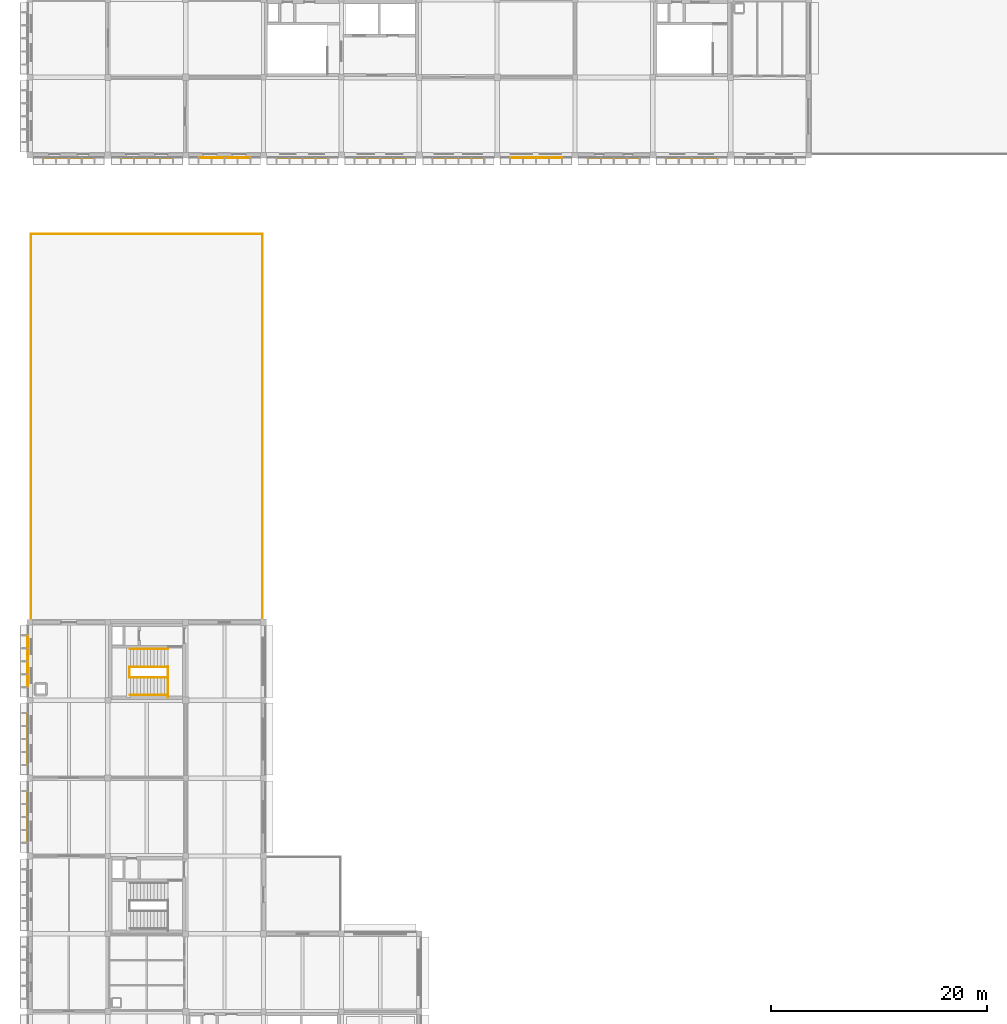
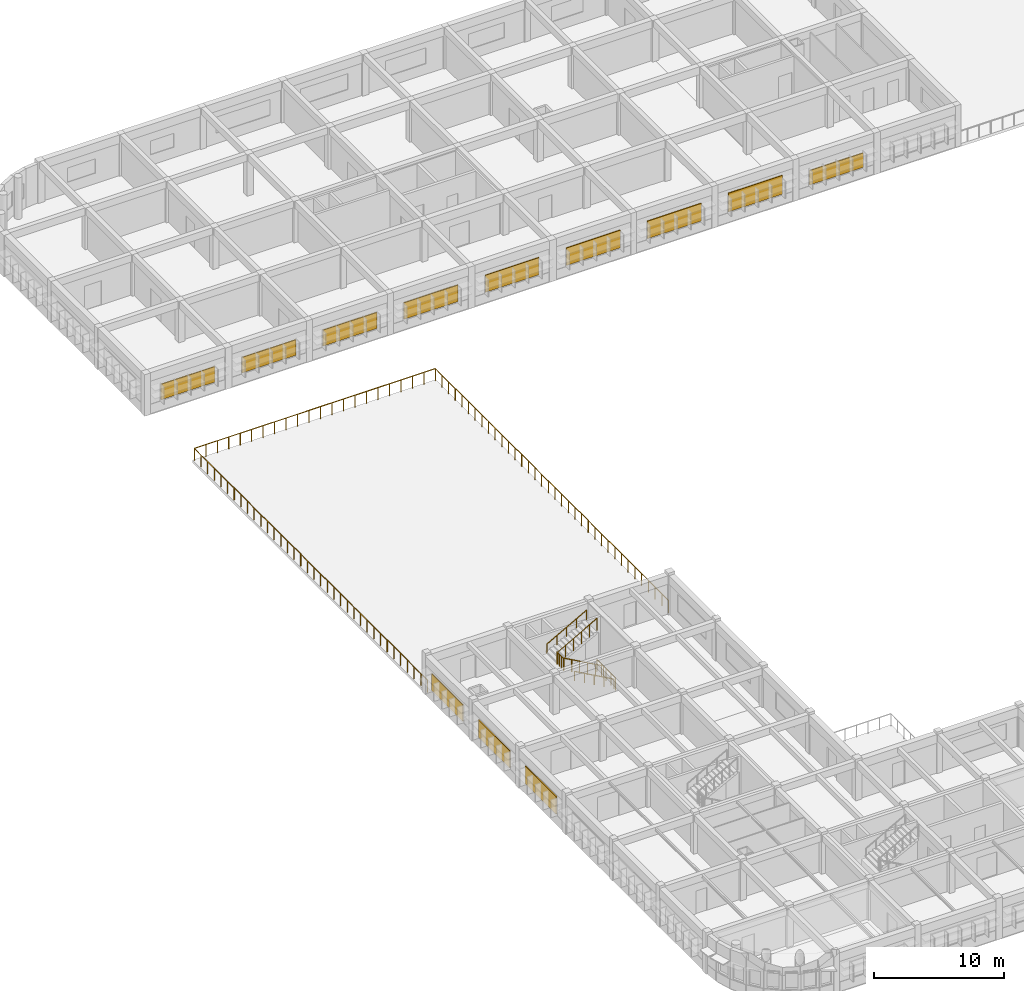
# One storey, part 21 of 22: 19 railings, 12 shading devices.
"""IFC4 building model written with IfcOpenShell, lengths in metres."""

from ifc_helpers import new_model, si_unit, direction, frame, origin, origin_2d, place, context, subcontext, project, spatial, rectangle, circle, extrude, material, layer, layer_set, type_object, element, save


model = new_model("IFC4")

# Units and contexts
model_context = context("Model", 3, precision=1e-05, world=origin(), true_north=direction((0.0, 1.0)))
body_context = subcontext(model_context, "Body", "Model", "MODEL_VIEW")
ifc_project = project(units=[si_unit("LENGTHUNIT", "METRE"), si_unit("AREAUNIT", "SQUARE_METRE"), si_unit("VOLUMEUNIT", "CUBIC_METRE"), si_unit("PLANEANGLEUNIT", "RADIAN"), si_unit("MASSUNIT", "GRAM", prefix="KILO")], contexts=[model_context])

# Site, building, storey
site_placement = place(None, origin())
site = spatial("IfcSite", under=ifc_project, at=site_placement, CompositionType="ELEMENT")
building_placement = place(site_placement, origin())
building = spatial("IfcBuilding", under=site, at=building_placement, Name="Thalmaran Polytechnic", CompositionType="ELEMENT")
storey_placement = place(building_placement, frame((0.0, 0.0, 22.800048828125)))
storey = spatial("IfcBuildingStorey", under=building, at=storey_placement, Name="L05", CompositionType="ELEMENT", Elevation=22.800048828125)

# Railings
ifc_material_1 = material(Name="Stainless steel 316 and laminated glass", Category="steel")
railing_type_1 = type_object("IfcRailingType", Name="RL-BL01", PredefinedType="BALUSTRADE", material=ifc_material_1)
for number, where, name in (
    (1, (0.10009765625, 86.300048828125, 0.0), "Terrace Balustrade Guard L05-2-1"),
    (2, (7.2333984375, 86.300048828125, 0.0), "Terrace Balustrade Guard L05-2-2"),
    (3, (14.36669921875, 86.300048828125, 0.0), "Terrace Balustrade Guard L05-2-3"),
):
    element("IfcRailing", number, at=place(storey_placement, frame(where)), inside=storey, type_object=railing_type_1, Name=name, PredefinedType="BALUSTRADE", context=body_context, shape_type="SweptSolid", body=[
        extrude(circle(Radius=0.02392578125, at=origin_2d()), frame((0.0, 0.0, 1.1259765625), z_axis=(1.0, 0.0, 0.0), x_axis=(0.0, 1.0, 0.0)), (0.0, 0.0, 1.0), 7.13330078125),
        extrude(circle(Radius=0.02099609375, at=origin_2d()), origin(), (0.0, 0.0, 1.0), 1.101806640625),
        extrude(circle(Radius=0.02099609375, at=origin_2d()), frame((1.01904296875, 0.0, 0.0)), (0.0, 0.0, 1.0), 1.101806640625),
        extrude(circle(Radius=0.02099609375, at=origin_2d()), frame((2.0380859375, 0.0, 0.0)), (0.0, 0.0, 1.0), 1.101806640625),
        extrude(circle(Radius=0.02099609375, at=origin_2d()), frame((3.05712890625, 0.0, 0.0)), (0.0, 0.0, 1.0), 1.101806640625),
        extrude(circle(Radius=0.02099609375, at=origin_2d()), frame((4.076171875, 0.0, 0.0)), (0.0, 0.0, 1.0), 1.101806640625),
        extrude(circle(Radius=0.02099609375, at=origin_2d()), frame((5.09521484375, 0.0, 0.0)), (0.0, 0.0, 1.0), 1.101806640625),
        extrude(circle(Radius=0.02099609375, at=origin_2d()), frame((6.1142578125, 0.0, 0.0)), (0.0, 0.0, 1.0), 1.101806640625),
        extrude(circle(Radius=0.02099609375, at=origin_2d()), frame((7.13330078125, 0.0, 0.0)), (0.0, 0.0, 1.0), 1.101806640625),
    ])
railing_1_placement = place(storey_placement, frame((21.5, 86.300048828125, 0.0)))
element("IfcRailing", 4, at=railing_1_placement, inside=storey, type_object=railing_type_1, Name="Terrace Balustrade Guard L05-2-4", PredefinedType="BALUSTRADE", context=body_context, shape_type="SweptSolid", body=[
    extrude(circle(Radius=0.02392578125, at=origin_2d()), frame((0.0, 0.0, 1.1259765625), z_axis=(0.0, -1.0, 0.0), x_axis=(1.0, 0.0, 0.0)), (0.0, 0.0, 1.0), 7.16015625),
    extrude(circle(Radius=0.02099609375, at=origin_2d()), origin(), (0.0, 0.0, 1.0), 1.101806640625),
    extrude(circle(Radius=0.02099609375, at=origin_2d()), frame((0.0, -1.02294921875, 0.0)), (0.0, 0.0, 1.0), 1.101806640625),
    extrude(circle(Radius=0.02099609375, at=origin_2d()), frame((0.0, -2.045654296875, 0.0)), (0.0, 0.0, 1.0), 1.101806640625),
    extrude(circle(Radius=0.02099609375, at=origin_2d()), frame((0.0, -3.068603515625, 0.0)), (0.0, 0.0, 1.0), 1.101806640625),
    extrude(circle(Radius=0.02099609375, at=origin_2d()), frame((0.0, -4.091552734375, 0.0)), (0.0, 0.0, 1.0), 1.101806640625),
    extrude(circle(Radius=0.02099609375, at=origin_2d()), frame((0.0, -5.114501953125, 0.0)), (0.0, 0.0, 1.0), 1.101806640625),
    extrude(circle(Radius=0.02099609375, at=origin_2d()), frame((0.0, -6.13720703125, 0.0)), (0.0, 0.0, 1.0), 1.101806640625),
    extrude(circle(Radius=0.02099609375, at=origin_2d()), frame((0.0, -7.16015625, 0.0)), (0.0, 0.0, 1.0), 1.101806640625),
])
for number, where, name in (
    (5, (21.5, 79.139892578125, 0.0), "Terrace Balustrade Guard L05-2-5"),
    (6, (21.5, 71.97998046875, 0.0), "Terrace Balustrade Guard L05-2-6"),
):
    element("IfcRailing", number, at=place(storey_placement, frame(where)), inside=storey, type_object=railing_type_1, Name=name, PredefinedType="BALUSTRADE", context=body_context, shape_type="SweptSolid", body=[
        extrude(circle(Radius=0.02392578125, at=origin_2d()), frame((0.0, 0.0, 1.1259765625), z_axis=(0.0, -1.0, 0.0), x_axis=(1.0, 0.0, 0.0)), (0.0, 0.0, 1.0), 7.159912109375),
        extrude(circle(Radius=0.02099609375, at=origin_2d()), origin(), (0.0, 0.0, 1.0), 1.101806640625),
        extrude(circle(Radius=0.02099609375, at=origin_2d()), frame((0.0, -1.02294921875, 0.0)), (0.0, 0.0, 1.0), 1.101806640625),
        extrude(circle(Radius=0.02099609375, at=origin_2d()), frame((0.0, -2.045654296875, 0.0)), (0.0, 0.0, 1.0), 1.101806640625),
        extrude(circle(Radius=0.02099609375, at=origin_2d()), frame((0.0, -3.068603515625, 0.0)), (0.0, 0.0, 1.0), 1.101806640625),
        extrude(circle(Radius=0.02099609375, at=origin_2d()), frame((0.0, -4.09130859375, 0.0)), (0.0, 0.0, 1.0), 1.101806640625),
        extrude(circle(Radius=0.02099609375, at=origin_2d()), frame((0.0, -5.1142578125, 0.0)), (0.0, 0.0, 1.0), 1.101806640625),
        extrude(circle(Radius=0.02099609375, at=origin_2d()), frame((0.0, -6.136962890625, 0.0)), (0.0, 0.0, 1.0), 1.101806640625),
        extrude(circle(Radius=0.02099609375, at=origin_2d()), frame((0.0, -7.159912109375, 0.0)), (0.0, 0.0, 1.0), 1.101806640625),
    ])
railing_2_placement = place(storey_placement, frame((21.5, 64.820068359375, 0.0)))
element("IfcRailing", 7, at=railing_2_placement, inside=storey, type_object=railing_type_1, Name="Terrace Balustrade Guard L05-2-7", PredefinedType="BALUSTRADE", context=body_context, shape_type="SweptSolid", body=[
    extrude(circle(Radius=0.02392578125, at=origin_2d()), frame((0.0, 0.0, 1.1259765625), z_axis=(0.0, -1.0, 0.0), x_axis=(1.0, 0.0, 0.0)), (0.0, 0.0, 1.0), 7.16015625),
    extrude(circle(Radius=0.02099609375, at=origin_2d()), origin(), (0.0, 0.0, 1.0), 1.101806640625),
    extrude(circle(Radius=0.02099609375, at=origin_2d()), frame((0.0, -1.02294921875, 0.0)), (0.0, 0.0, 1.0), 1.101806640625),
    extrude(circle(Radius=0.02099609375, at=origin_2d()), frame((0.0, -2.045654296875, 0.0)), (0.0, 0.0, 1.0), 1.101806640625),
    extrude(circle(Radius=0.02099609375, at=origin_2d()), frame((0.0, -3.068603515625, 0.0)), (0.0, 0.0, 1.0), 1.101806640625),
    extrude(circle(Radius=0.02099609375, at=origin_2d()), frame((0.0, -4.091552734375, 0.0)), (0.0, 0.0, 1.0), 1.101806640625),
    extrude(circle(Radius=0.02099609375, at=origin_2d()), frame((0.0, -5.114501953125, 0.0)), (0.0, 0.0, 1.0), 1.101806640625),
    extrude(circle(Radius=0.02099609375, at=origin_2d()), frame((0.0, -6.13720703125, 0.0)), (0.0, 0.0, 1.0), 1.101806640625),
    extrude(circle(Radius=0.02099609375, at=origin_2d()), frame((0.0, -7.16015625, 0.0)), (0.0, 0.0, 1.0), 1.101806640625),
])
railing_3_placement = place(storey_placement, frame((21.5, 57.659912109375, 0.0)))
element("IfcRailing", 8, at=railing_3_placement, inside=storey, type_object=railing_type_1, Name="Terrace Balustrade Guard L05-2-8", PredefinedType="BALUSTRADE", context=body_context, shape_type="SweptSolid", body=[
    extrude(circle(Radius=0.02392578125, at=origin_2d()), frame((0.0, 0.0, 1.1259765625), z_axis=(0.0, -1.0, 0.0), x_axis=(1.0, 0.0, 0.0)), (0.0, 0.0, 1.0), 7.25),
    extrude(circle(Radius=0.02099609375, at=origin_2d()), origin(), (0.0, 0.0, 1.0), 1.101806640625),
    extrude(circle(Radius=0.02099609375, at=origin_2d()), frame((0.0, -1.03564453125, 0.0)), (0.0, 0.0, 1.0), 1.101806640625),
    extrude(circle(Radius=0.02099609375, at=origin_2d()), frame((0.0, -2.071533203125, 0.0)), (0.0, 0.0, 1.0), 1.101806640625),
    extrude(circle(Radius=0.02099609375, at=origin_2d()), frame((0.0, -3.107177734375, 0.0)), (0.0, 0.0, 1.0), 1.101806640625),
    extrude(circle(Radius=0.02099609375, at=origin_2d()), frame((0.0, -4.142822265625, 0.0)), (0.0, 0.0, 1.0), 1.101806640625),
    extrude(circle(Radius=0.02099609375, at=origin_2d()), frame((0.0, -5.178466796875, 0.0)), (0.0, 0.0, 1.0), 1.101806640625),
    extrude(circle(Radius=0.02099609375, at=origin_2d()), frame((0.0, -6.21435546875, 0.0)), (0.0, 0.0, 1.0), 1.101806640625),
    extrude(circle(Radius=0.02099609375, at=origin_2d()), frame((0.0, -7.25, 0.0)), (0.0, 0.0, 1.0), 1.101806640625),
])
railing_4_placement = place(storey_placement, frame((0.10009765625, 50.409912109375, 0.0)))
element("IfcRailing", 9, at=railing_4_placement, inside=storey, type_object=railing_type_1, Name="Terrace Balustrade Guard L05-2-12", PredefinedType="BALUSTRADE", context=body_context, shape_type="SweptSolid", body=[
    extrude(circle(Radius=0.02392578125, at=origin_2d()), frame((0.0, 0.0, 1.1259765625), z_axis=(0.0, 1.0, 0.0), x_axis=(-1.0, 0.0, 0.0)), (0.0, 0.0, 1.0), 7.25),
    extrude(circle(Radius=0.02099609375, at=origin_2d()), origin(), (0.0, 0.0, 1.0), 1.101806640625),
    extrude(circle(Radius=0.02099609375, at=origin_2d()), frame((0.0, 1.03564453125, 0.0)), (0.0, 0.0, 1.0), 1.101806640625),
    extrude(circle(Radius=0.02099609375, at=origin_2d()), frame((0.0, 2.071533203125, 0.0)), (0.0, 0.0, 1.0), 1.101806640625),
    extrude(circle(Radius=0.02099609375, at=origin_2d()), frame((0.0, 3.107177734375, 0.0)), (0.0, 0.0, 1.0), 1.101806640625),
    extrude(circle(Radius=0.02099609375, at=origin_2d()), frame((0.0, 4.142822265625, 0.0)), (0.0, 0.0, 1.0), 1.101806640625),
    extrude(circle(Radius=0.02099609375, at=origin_2d()), frame((0.0, 5.178466796875, 0.0)), (0.0, 0.0, 1.0), 1.101806640625),
    extrude(circle(Radius=0.02099609375, at=origin_2d()), frame((0.0, 6.21435546875, 0.0)), (0.0, 0.0, 1.0), 1.101806640625),
    extrude(circle(Radius=0.02099609375, at=origin_2d()), frame((0.0, 7.25, 0.0)), (0.0, 0.0, 1.0), 1.101806640625),
])
railing_5_placement = place(storey_placement, frame((0.10009765625, 57.659912109375, 0.0)))
element("IfcRailing", 10, at=railing_5_placement, inside=storey, type_object=railing_type_1, Name="Terrace Balustrade Guard L05-2-13", PredefinedType="BALUSTRADE", context=body_context, shape_type="SweptSolid", body=[
    extrude(circle(Radius=0.02392578125, at=origin_2d()), frame((0.0, 0.0, 1.1259765625), z_axis=(0.0, 1.0, 0.0), x_axis=(-1.0, 0.0, 0.0)), (0.0, 0.0, 1.0), 7.16015625),
    extrude(circle(Radius=0.02099609375, at=origin_2d()), origin(), (0.0, 0.0, 1.0), 1.101806640625),
    extrude(circle(Radius=0.02099609375, at=origin_2d()), frame((0.0, 1.02294921875, 0.0)), (0.0, 0.0, 1.0), 1.101806640625),
    extrude(circle(Radius=0.02099609375, at=origin_2d()), frame((0.0, 2.045654296875, 0.0)), (0.0, 0.0, 1.0), 1.101806640625),
    extrude(circle(Radius=0.02099609375, at=origin_2d()), frame((0.0, 3.068603515625, 0.0)), (0.0, 0.0, 1.0), 1.101806640625),
    extrude(circle(Radius=0.02099609375, at=origin_2d()), frame((0.0, 4.091552734375, 0.0)), (0.0, 0.0, 1.0), 1.101806640625),
    extrude(circle(Radius=0.02099609375, at=origin_2d()), frame((0.0, 5.114501953125, 0.0)), (0.0, 0.0, 1.0), 1.101806640625),
    extrude(circle(Radius=0.02099609375, at=origin_2d()), frame((0.0, 6.13720703125, 0.0)), (0.0, 0.0, 1.0), 1.101806640625),
    extrude(circle(Radius=0.02099609375, at=origin_2d()), frame((0.0, 7.16015625, 0.0)), (0.0, 0.0, 1.0), 1.101806640625),
])
for number, where, name in (
    (11, (0.10009765625, 64.820068359375, 0.0), "Terrace Balustrade Guard L05-2-14"),
    (12, (0.10009765625, 71.97998046875, 0.0), "Terrace Balustrade Guard L05-2-15"),
):
    element("IfcRailing", number, at=place(storey_placement, frame(where)), inside=storey, type_object=railing_type_1, Name=name, PredefinedType="BALUSTRADE", context=body_context, shape_type="SweptSolid", body=[
        extrude(circle(Radius=0.02392578125, at=origin_2d()), frame((0.0, 0.0, 1.1259765625), z_axis=(0.0, 1.0, 0.0), x_axis=(-1.0, 0.0, 0.0)), (0.0, 0.0, 1.0), 7.159912109375),
        extrude(circle(Radius=0.02099609375, at=origin_2d()), origin(), (0.0, 0.0, 1.0), 1.101806640625),
        extrude(circle(Radius=0.02099609375, at=origin_2d()), frame((0.0, 1.02294921875, 0.0)), (0.0, 0.0, 1.0), 1.101806640625),
        extrude(circle(Radius=0.02099609375, at=origin_2d()), frame((0.0, 2.045654296875, 0.0)), (0.0, 0.0, 1.0), 1.101806640625),
        extrude(circle(Radius=0.02099609375, at=origin_2d()), frame((0.0, 3.068603515625, 0.0)), (0.0, 0.0, 1.0), 1.101806640625),
        extrude(circle(Radius=0.02099609375, at=origin_2d()), frame((0.0, 4.09130859375, 0.0)), (0.0, 0.0, 1.0), 1.101806640625),
        extrude(circle(Radius=0.02099609375, at=origin_2d()), frame((0.0, 5.1142578125, 0.0)), (0.0, 0.0, 1.0), 1.101806640625),
        extrude(circle(Radius=0.02099609375, at=origin_2d()), frame((0.0, 6.136962890625, 0.0)), (0.0, 0.0, 1.0), 1.101806640625),
        extrude(circle(Radius=0.02099609375, at=origin_2d()), frame((0.0, 7.159912109375, 0.0)), (0.0, 0.0, 1.0), 1.101806640625),
    ])
railing_6_placement = place(storey_placement, frame((0.10009765625, 79.139892578125, 0.0)))
element("IfcRailing", 13, at=railing_6_placement, inside=storey, type_object=railing_type_1, Name="Terrace Balustrade Guard L05-2-16", PredefinedType="BALUSTRADE", context=body_context, shape_type="SweptSolid", body=[
    extrude(circle(Radius=0.02392578125, at=origin_2d()), frame((0.0, 0.0, 1.1259765625), z_axis=(0.0, 1.0, 0.0), x_axis=(-1.0, 0.0, 0.0)), (0.0, 0.0, 1.0), 7.16015625),
    extrude(circle(Radius=0.02099609375, at=origin_2d()), origin(), (0.0, 0.0, 1.0), 1.101806640625),
    extrude(circle(Radius=0.02099609375, at=origin_2d()), frame((0.0, 1.02294921875, 0.0)), (0.0, 0.0, 1.0), 1.101806640625),
    extrude(circle(Radius=0.02099609375, at=origin_2d()), frame((0.0, 2.045654296875, 0.0)), (0.0, 0.0, 1.0), 1.101806640625),
    extrude(circle(Radius=0.02099609375, at=origin_2d()), frame((0.0, 3.068603515625, 0.0)), (0.0, 0.0, 1.0), 1.101806640625),
    extrude(circle(Radius=0.02099609375, at=origin_2d()), frame((0.0, 4.091552734375, 0.0)), (0.0, 0.0, 1.0), 1.101806640625),
    extrude(circle(Radius=0.02099609375, at=origin_2d()), frame((0.0, 5.114501953125, 0.0)), (0.0, 0.0, 1.0), 1.101806640625),
    extrude(circle(Radius=0.02099609375, at=origin_2d()), frame((0.0, 6.13720703125, 0.0)), (0.0, 0.0, 1.0), 1.101806640625),
    extrude(circle(Radius=0.02099609375, at=origin_2d()), frame((0.0, 7.16015625, 0.0)), (0.0, 0.0, 1.0), 1.101806640625),
])
ifc_material_2 = material(Name="Stainless steel 316", Category="steel")
railing_type_2 = type_object("IfcRailingType", Name="RL-GR01", PredefinedType="GUARDRAIL", material=ifc_material_2)
railing_7_placement = place(storey_placement, frame((12.77001953125, 43.449951171875, 0.0)))
element("IfcRailing", 14, at=railing_7_placement, inside=storey, type_object=railing_type_2, Name="ST4 L05 Landing Edge Guardrail", PredefinedType="GUARDRAIL", context=body_context, shape_type="SweptSolid", body=[
    extrude(circle(Radius=0.02392578125, at=origin_2d()), frame((0.0, 0.0, 1.1259765625), z_axis=(0.0, 1.0, 0.0), x_axis=(-1.0, 0.0, 0.0)), (0.0, 0.0, 1.0), 2.8701171875),
    extrude(circle(Radius=0.02099609375, at=origin_2d()), origin(), (0.0, 0.0, 1.0), 1.101806640625),
    extrude(circle(Radius=0.02099609375, at=origin_2d()), frame((0.0, 0.717529296875, 0.0)), (0.0, 0.0, 1.0), 1.101806640625),
    extrude(circle(Radius=0.02099609375, at=origin_2d()), frame((0.0, 1.43505859375, 0.0)), (0.0, 0.0, 1.0), 1.101806640625),
    extrude(circle(Radius=0.02099609375, at=origin_2d()), frame((0.0, 2.152587890625, 0.0)), (0.0, 0.0, 1.0), 1.101806640625),
    extrude(circle(Radius=0.02099609375, at=origin_2d()), frame((0.0, 2.8701171875, 0.0)), (0.0, 0.0, 1.0), 1.101806640625),
])
railing_8_placement = place(storey_placement, frame((12.760009765625, 45.320068359375, 0.0)))
element("IfcRailing", 15, at=railing_8_placement, inside=storey, type_object=railing_type_2, Name="ST4 L05 Lower Flight Guardrail", PredefinedType="GUARDRAIL", context=body_context, shape_type="SweptSolid", body=[
    extrude(circle(Radius=0.02392578125, at=origin_2d()), frame((0.0, 0.0, 1.1259765625), z_axis=(-0.873573157803, 0.0, 0.486692857936), x_axis=(0.0, -1.0, 0.0)), (0.0, 0.0, 1.0), 4.006591796875),
    extrude(circle(Radius=0.02099609375, at=origin_2d()), origin(), (0.0, 0.0, 1.0), 1.101806640625),
    extrude(circle(Radius=0.02099609375, at=origin_2d()), frame((-0.699951171875, 0.0, 0.389892578125)), (0.0, 0.0, 1.0), 1.101806640625),
    extrude(circle(Radius=0.02099609375, at=origin_2d()), frame((-1.39990234375, 0.0, 0.780029296875)), (0.0, 0.0, 1.0), 1.101806640625),
    extrude(circle(Radius=0.02099609375, at=origin_2d()), frame((-2.10009765625, 0.0, 1.169921875)), (0.0, 0.0, 1.0), 1.101806640625),
    extrude(circle(Radius=0.02099609375, at=origin_2d()), frame((-2.800048828125, 0.0, 1.56005859375)), (0.0, 0.0, 1.0), 1.101806640625),
    extrude(circle(Radius=0.02099609375, at=origin_2d()), frame((-3.5, 0.0, 1.949951171875)), (0.0, 0.0, 1.0), 1.101806640625),
])
railing_9_placement = place(storey_placement, frame((9.219970703125, 45.300048828125, 1.949951171875)))
element("IfcRailing", 16, at=railing_9_placement, inside=storey, type_object=railing_type_2, Name="ST4 L05 Half-Landing Well Guardrail", PredefinedType="GUARDRAIL", context=body_context, shape_type="SweptSolid", body=[
    extrude(circle(Radius=0.02392578125, at=origin_2d()), frame((0.0, 0.0, 1.1259765625), z_axis=(0.0, 1.0, 0.0), x_axis=(-1.0, 0.0, 0.0)), (0.0, 0.0, 1.0), 0.97998046875),
    extrude(circle(Radius=0.02099609375, at=origin_2d()), origin(), (0.0, 0.0, 1.0), 1.101806640625),
    extrude(circle(Radius=0.02099609375, at=origin_2d()), frame((0.0, 0.32666015625, 0.0)), (0.0, 0.0, 1.0), 1.101806640625),
    extrude(circle(Radius=0.02099609375, at=origin_2d()), frame((0.0, 0.6533203125, 0.0)), (0.0, 0.0, 1.0), 1.101806640625),
    extrude(circle(Radius=0.02099609375, at=origin_2d()), frame((0.0, 0.97998046875, 0.0)), (0.0, 0.0, 1.0), 1.101806640625),
])
railing_10_placement = place(storey_placement, frame((9.260009765625, 46.260009765625, 1.949951171875)))
element("IfcRailing", 17, at=railing_10_placement, inside=storey, type_object=railing_type_2, Name="ST4 L05 Upper Flight Guardrail", PredefinedType="GUARDRAIL", context=body_context, shape_type="SweptSolid", body=[
    extrude(circle(Radius=0.02392578125, at=origin_2d()), frame((0.0, 0.0, 1.1259765625), z_axis=(0.873573157803, 0.0, 0.486692857936), x_axis=(0.0, 1.0, 0.0)), (0.0, 0.0, 1.0), 4.006591796875),
    extrude(circle(Radius=0.02099609375, at=origin_2d()), origin(), (0.0, 0.0, 1.0), 1.101806640625),
    extrude(circle(Radius=0.02099609375, at=origin_2d()), frame((0.699951171875, 0.0, 0.389892578125)), (0.0, 0.0, 1.0), 1.101806640625),
    extrude(circle(Radius=0.02099609375, at=origin_2d()), frame((1.39990234375, 0.0, 0.780029296875)), (0.0, 0.0, 1.0), 1.101806640625),
    extrude(circle(Radius=0.02099609375, at=origin_2d()), frame((2.10009765625, 0.0, 1.169921875)), (0.0, 0.0, 1.0), 1.101806640625),
    extrude(circle(Radius=0.02099609375, at=origin_2d()), frame((2.800048828125, 0.0, 1.56005859375)), (0.0, 0.0, 1.0), 1.101806640625),
    extrude(circle(Radius=0.02099609375, at=origin_2d()), frame((3.5, 0.0, 1.949951171875)), (0.0, 0.0, 1.0), 1.101806640625),
])
railing_type_3 = type_object("IfcRailingType", Name="RL-HR01", PredefinedType="HANDRAIL", material=ifc_material_2)
railing_11_placement = place(storey_placement, frame((12.760009765625, 43.679931640625, 0.0)))
element("IfcRailing", 18, at=railing_11_placement, inside=storey, type_object=railing_type_3, Name="ST4 L05 Flight 1 Handrail", PredefinedType="HANDRAIL", context=body_context, shape_type="SweptSolid", body=[
    extrude(circle(Radius=0.02392578125, at=origin_2d()), frame((0.0, 0.0, 0.8759765625), z_axis=(-0.873573157803, 0.0, 0.486692857936), x_axis=(0.0, -1.0, 0.0)), (0.0, 0.0, 1.0), 4.006591796875),
    extrude(circle(Radius=0.02099609375, at=origin_2d()), origin(), (0.0, 0.0, 1.0), 0.851806640625),
    extrude(circle(Radius=0.02099609375, at=origin_2d()), frame((-0.875, 0.0, 0.487548828125)), (0.0, 0.0, 1.0), 0.851806640625),
    extrude(circle(Radius=0.02099609375, at=origin_2d()), frame((-1.75, 0.0, 0.97509765625)), (0.0, 0.0, 1.0), 0.851806640625),
    extrude(circle(Radius=0.02099609375, at=origin_2d()), frame((-2.625, 0.0, 1.46240234375)), (0.0, 0.0, 1.0), 0.851806640625),
    extrude(circle(Radius=0.02099609375, at=origin_2d()), frame((-3.5, 0.0, 1.949951171875)), (0.0, 0.0, 1.0), 0.851806640625),
])
railing_12_placement = place(storey_placement, frame((9.260009765625, 47.919921875, 1.949951171875)))
element("IfcRailing", 19, at=railing_12_placement, inside=storey, type_object=railing_type_3, Name="ST4 L05 Flight 2 Handrail", PredefinedType="HANDRAIL", context=body_context, shape_type="SweptSolid", body=[
    extrude(circle(Radius=0.02392578125, at=origin_2d()), frame((0.0, 0.0, 0.8759765625), z_axis=(0.873573157803, 0.0, 0.486692857936), x_axis=(0.0, 1.0, 0.0)), (0.0, 0.0, 1.0), 4.006591796875),
    extrude(circle(Radius=0.02099609375, at=origin_2d()), origin(), (0.0, 0.0, 1.0), 0.851806640625),
    extrude(circle(Radius=0.02099609375, at=origin_2d()), frame((0.875, 0.0, 0.487548828125)), (0.0, 0.0, 1.0), 0.851806640625),
    extrude(circle(Radius=0.02099609375, at=origin_2d()), frame((1.75, 0.0, 0.97509765625)), (0.0, 0.0, 1.0), 0.851806640625),
    extrude(circle(Radius=0.02099609375, at=origin_2d()), frame((2.625, 0.0, 1.46240234375)), (0.0, 0.0, 1.0), 0.851806640625),
    extrude(circle(Radius=0.02099609375, at=origin_2d()), frame((3.5, 0.0, 1.949951171875)), (0.0, 0.0, 1.0), 0.851806640625),
])

# Shading devices
ifc_material_3 = material(Name="Perforated anodised-bronze aluminium screen", Category="aluminium")
ifc_layer = layer(ifc_material_3, 0.080078125, Name="Perforated anodised-bronze aluminium screen")
ifc_layer_set = layer_set([ifc_layer], Name="Perforated anodised-bronze aluminium screen")
shading_device_type = type_object("IfcShadingDeviceType", Name="SH-JL01", PredefinedType="JALOUSIE", material=ifc_layer_set)
shading_device_1_placement = place(storey_placement, frame((61.199951171875, 93.3798828125, 1.02490234375), z_axis=(0.0, 0.0, 1.0), x_axis=(-1.0, 0.0, 0.0)))
element("IfcShadingDevice", 20, at=shading_device_1_placement, inside=storey, type_object=shading_device_type, Name="Anodised-Bronze Mashrabiya Solar Screen L05-026", PredefinedType="JALOUSIE", context=body_context, shape_type="SweptSolid", body=[
    extrude(rectangle(XDim=4.777099609375, YDim=0.080078125, at=origin_2d()), origin(), (0.0, 0.0, 1.0), 1.35009765625),
])
shading_device_2_placement = place(storey_placement, frame((54.0, 93.3798828125, 1.02490234375), z_axis=(0.0, 0.0, 1.0), x_axis=(-1.0, 0.0, 0.0)))
element("IfcShadingDevice", 21, at=shading_device_2_placement, inside=storey, type_object=shading_device_type, Name="Anodised-Bronze Mashrabiya Solar Screen L05-027", PredefinedType="JALOUSIE", context=body_context, shape_type="SweptSolid", body=[
    extrude(rectangle(XDim=4.798828125, YDim=0.080078125, at=origin_2d()), origin(), (0.0, 0.0, 1.0), 1.75),
])
shading_device_3_placement = place(storey_placement, frame((46.800048828125, 93.3798828125, 1.02490234375), z_axis=(0.0, 0.0, 1.0), x_axis=(-1.0, 0.0, 0.0)))
element("IfcShadingDevice", 22, at=shading_device_3_placement, inside=storey, type_object=shading_device_type, Name="Anodised-Bronze Mashrabiya Solar Screen L05-028", PredefinedType="JALOUSIE", context=body_context, shape_type="SweptSolid", body=[
    extrude(rectangle(XDim=4.81689453125, YDim=0.080078125, at=origin_2d()), origin(), (0.0, 0.0, 1.0), 1.64990234375),
])
shading_device_4_placement = place(storey_placement, frame((39.60009765625, 93.3798828125, 1.02490234375), z_axis=(0.0, 0.0, 1.0), x_axis=(-1.0, 0.0, 0.0)))
element("IfcShadingDevice", 23, at=shading_device_4_placement, inside=storey, type_object=shading_device_type, Name="Anodised-Bronze Mashrabiya Solar Screen L05-029", PredefinedType="JALOUSIE", context=body_context, shape_type="SweptSolid", body=[
    extrude(rectangle(XDim=4.795166015625, YDim=0.080078125, at=origin_2d()), origin(), (0.0, 0.0, 1.0), 1.64990234375),
])
shading_device_5_placement = place(storey_placement, frame((32.39990234375, 93.3798828125, 1.02490234375), z_axis=(0.0, 0.0, 1.0), x_axis=(-1.0, 0.0, 0.0)))
element("IfcShadingDevice", 24, at=shading_device_5_placement, inside=storey, type_object=shading_device_type, Name="Anodised-Bronze Mashrabiya Solar Screen L05-030", PredefinedType="JALOUSIE", context=body_context, shape_type="SweptSolid", body=[
    extrude(rectangle(XDim=4.777099609375, YDim=0.080078125, at=origin_2d()), origin(), (0.0, 0.0, 1.0), 1.60009765625),
])
shading_device_6_placement = place(storey_placement, frame((25.199951171875, 93.3798828125, 1.02490234375), z_axis=(0.0, 0.0, 1.0), x_axis=(-1.0, 0.0, 0.0)))
element("IfcShadingDevice", 25, at=shading_device_6_placement, inside=storey, type_object=shading_device_type, Name="Anodised-Bronze Mashrabiya Solar Screen L05-031", PredefinedType="JALOUSIE", context=body_context, shape_type="SweptSolid", body=[
    extrude(rectangle(XDim=4.798828125, YDim=0.080078125, at=origin_2d()), origin(), (0.0, 0.0, 1.0), 1.550048828125),
])
shading_device_7_placement = place(storey_placement, frame((18.0, 93.3798828125, 1.02490234375), z_axis=(0.0, 0.0, 1.0), x_axis=(-1.0, 0.0, 0.0)))
element("IfcShadingDevice", 26, at=shading_device_7_placement, inside=storey, type_object=shading_device_type, Name="Anodised-Bronze Mashrabiya Solar Screen L05-032", PredefinedType="JALOUSIE", context=body_context, shape_type="SweptSolid", body=[
    extrude(rectangle(XDim=4.81689453125, YDim=0.080078125, at=origin_2d()), origin(), (0.0, 0.0, 1.0), 1.5),
])
shading_device_8_placement = place(storey_placement, frame((10.800048828125, 93.3798828125, 1.02490234375), z_axis=(0.0, 0.0, 1.0), x_axis=(-1.0, 0.0, 0.0)))
element("IfcShadingDevice", 27, at=shading_device_8_placement, inside=storey, type_object=shading_device_type, Name="Anodised-Bronze Mashrabiya Solar Screen L05-033", PredefinedType="JALOUSIE", context=body_context, shape_type="SweptSolid", body=[
    extrude(rectangle(XDim=4.795166015625, YDim=0.080078125, at=origin_2d()), origin(), (0.0, 0.0, 1.0), 1.449951171875),
])
shading_device_9_placement = place(storey_placement, frame((3.60009765625, 93.3798828125, 1.02490234375), z_axis=(0.0, 0.0, 1.0), x_axis=(-1.0, 0.0, 0.0)))
element("IfcShadingDevice", 28, at=shading_device_9_placement, inside=storey, type_object=shading_device_type, Name="Anodised-Bronze Mashrabiya Solar Screen L05-034", PredefinedType="JALOUSIE", context=body_context, shape_type="SweptSolid", body=[
    extrude(rectangle(XDim=4.777099609375, YDim=0.080078125, at=origin_2d()), origin(), (0.0, 0.0, 1.0), 1.449951171875),
])
shading_device_10_placement = place(storey_placement, frame((-0.219970703125, 32.39990234375, 1.02490234375), z_axis=(0.0, 0.0, 1.0), x_axis=(0.0, 1.0, 0.0)))
element("IfcShadingDevice", 29, at=shading_device_10_placement, inside=storey, type_object=shading_device_type, Name="Anodised-Bronze Mashrabiya Solar Screen L05-043", PredefinedType="JALOUSIE", context=body_context, shape_type="SweptSolid", body=[
    extrude(rectangle(XDim=4.777099609375, YDim=0.080078125, at=origin_2d()), origin(), (0.0, 0.0, 1.0), 1.64990234375),
])
shading_device_11_placement = place(storey_placement, frame((-0.219970703125, 39.60009765625, 1.02490234375), z_axis=(0.0, 0.0, 1.0), x_axis=(0.0, 1.0, 0.0)))
element("IfcShadingDevice", 30, at=shading_device_11_placement, inside=storey, type_object=shading_device_type, Name="Anodised-Bronze Mashrabiya Solar Screen L05-044", PredefinedType="JALOUSIE", context=body_context, shape_type="SweptSolid", body=[
    extrude(rectangle(XDim=4.798828125, YDim=0.080078125, at=origin_2d()), origin(), (0.0, 0.0, 1.0), 1.60009765625),
])
shading_device_12_placement = place(storey_placement, frame((-0.219970703125, 46.800048828125, 1.02490234375), z_axis=(0.0, 0.0, 1.0), x_axis=(0.0, 1.0, 0.0)))
element("IfcShadingDevice", 31, at=shading_device_12_placement, inside=storey, type_object=shading_device_type, Name="Anodised-Bronze Mashrabiya Solar Screen L05-045", PredefinedType="JALOUSIE", context=body_context, shape_type="SweptSolid", body=[
    extrude(rectangle(XDim=4.81689453125, YDim=0.080078125, at=origin_2d()), origin(), (0.0, 0.0, 1.0), 1.550048828125),
])

save(model, "model.ifc")
